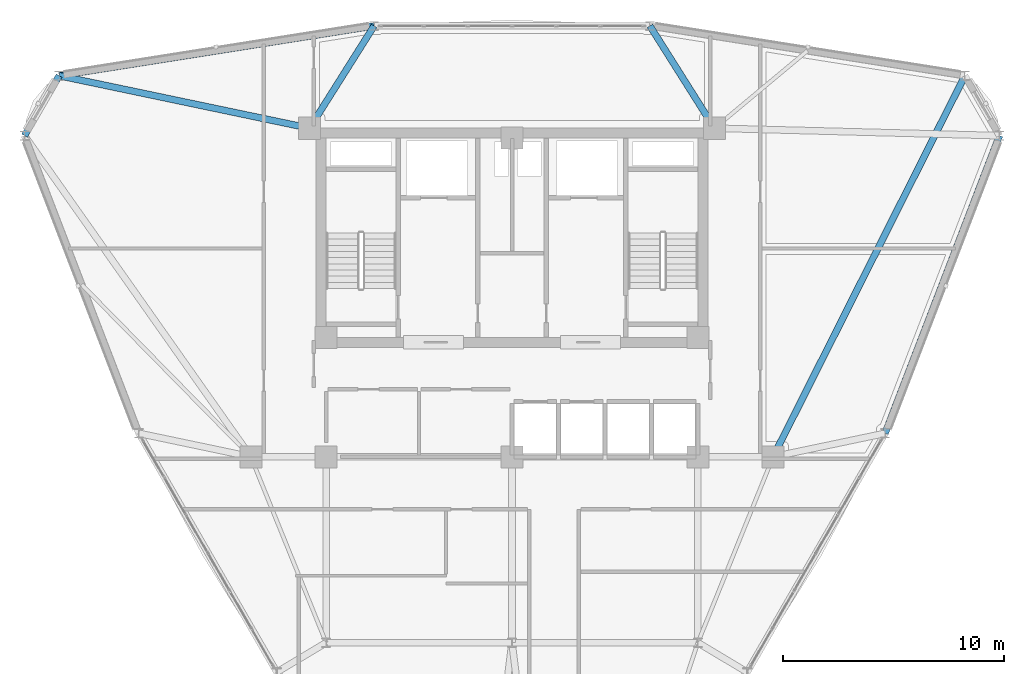
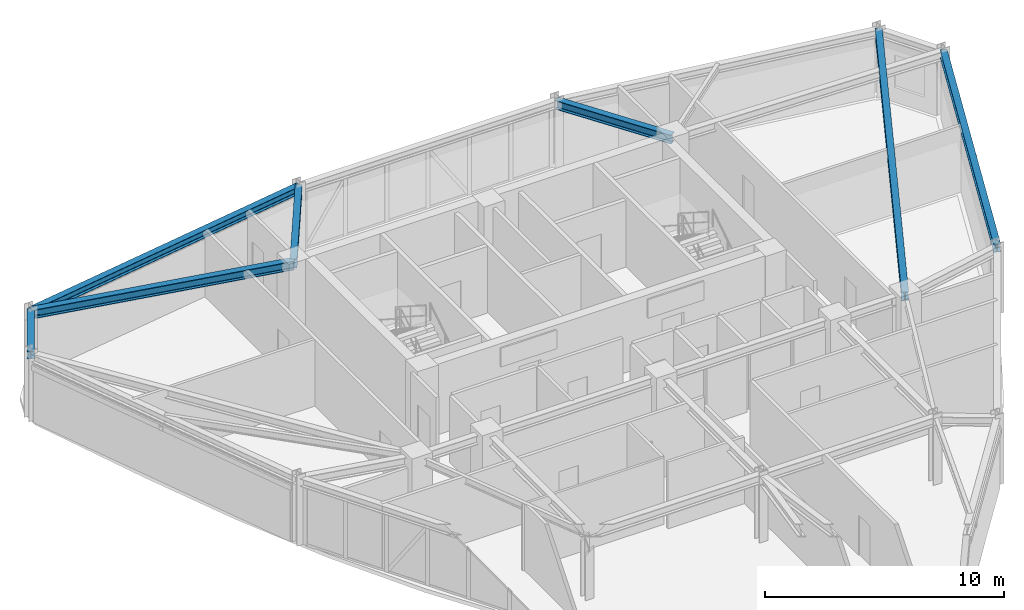
# One storey, part 7 of 14: 7 beams.
"""IFC4 building model written with IfcOpenShell, lengths in metres."""

from ifc_helpers import new_model, si_unit, derived_unit, direction, frame, origin, origin_2d, place, context, subcontext, project, spatial, i_section, extrude, source, transform, mapped, material, material_profile, profile_set, type_object, element, save


model = new_model("IFC4")

# Units and contexts
model_context = context("Model", 3, precision=1e-05, world=origin(), true_north=direction((0.0, 1.0)))
body_context = subcontext(model_context, "Body", "Model", "MODEL_VIEW")
ifc_project = project(units=[si_unit("LENGTHUNIT", "METRE"), si_unit("AREAUNIT", "SQUARE_METRE"), si_unit("VOLUMEUNIT", "CUBIC_METRE"), si_unit("PLANEANGLEUNIT", "RADIAN"), si_unit("MASSUNIT", "GRAM", prefix="KILO"), derived_unit("THERMALTRANSMITTANCEUNIT", [(si_unit("POWERUNIT", "WATT"), 1), (si_unit("LENGTHUNIT", "METRE"), -2), (si_unit("THERMODYNAMICTEMPERATUREUNIT", "KELVIN"), -1)])], contexts=[model_context])

# Site, building, storey
site_placement = place(None, origin())
site = spatial("IfcSite", under=ifc_project, at=site_placement, CompositionType="ELEMENT")
building_placement = place(site_placement, origin())
building = spatial("IfcBuilding", under=site, at=building_placement, Name="Korsvarv Bourse and Concert Hall", CompositionType="ELEMENT")
storey_placement = place(building_placement, frame((0.0, 0.0, 193.800048828125)))
storey = spatial("IfcBuildingStorey", under=building, at=storey_placement, Name="L50", CompositionType="ELEMENT", Elevation=193.800048828125)

# Beams
ifc_material = material(Name="Steel S355", Category="steel")
ifc_material_profile_1 = material_profile(ifc_material, i_section(OverallWidth=0.300048828125, OverallDepth=0.389892578125, WebThickness=0.010986328125, FlangeThickness=0.01904296875, FilletRadius=0.02099609375, at=origin_2d()), Name="HEA 400")
ifc_profile_set_1 = profile_set([ifc_material_profile_1], Name="Steel S355")
beam_type_1 = type_object("IfcBeamType", Name="BM-HEA400", PredefinedType="BEAM", material=ifc_profile_set_1)
shared_shape_1 = source(origin(), body_context, "Body", "SweptSolid", [
    extrude(i_section(OverallWidth=0.300048828125, OverallDepth=0.389892578125, WebThickness=0.010986328125, FlangeThickness=0.01904296875, FilletRadius=0.02099609375, at=origin_2d()), origin(), (0.0, 0.0, 1.0), 3.12939453125),
])
beam_1_placement = place(storey_placement, frame((15.534423828125, 49.62255859375, 3.204833984375), z_axis=(-0.499990325971, -0.866030989016, 0.0), x_axis=(0.866030989016, -0.499990325971, 0.0)))
element("IfcBeam", 1, at=beam_1_placement, inside=storey, type_object=beam_type_1, Name="L50 beam B-11", PredefinedType="BEAM", context=body_context, shape_type="MappedRepresentation", body=[
    mapped(shared_shape_1, transform((0.0, 0.0, 0.0), scale=1.0)),
])
shared_shape_2 = source(origin(), body_context, "Body", "SweptSolid", [
    extrude(i_section(OverallWidth=0.300048828125, OverallDepth=0.389892578125, WebThickness=0.010986328125, FlangeThickness=0.01904296875, FilletRadius=0.02099609375, at=origin_2d()), origin(), (0.0, 0.0, 1.0), 14.4091796875),
])
beam_2_placement = place(storey_placement, frame((29.766845703125, 51.871826171875, 3.204833984375), z_axis=(-0.987741112202, -0.156100913728, 0.0), x_axis=(0.156100913728, -0.987741112202, 0.0)))
element("IfcBeam", 2, at=beam_2_placement, inside=storey, type_object=beam_type_1, Name="L50 beam B-11", PredefinedType="BEAM", context=body_context, shape_type="MappedRepresentation", body=[
    mapped(shared_shape_2, transform((0.0, 0.0, 0.0), scale=1.0)),
])
shared_shape_3 = source(origin(), body_context, "Body", "SweptSolid", [
    extrude(i_section(OverallWidth=0.300048828125, OverallDepth=0.389892578125, WebThickness=0.010986328125, FlangeThickness=0.01904296875, FilletRadius=0.02099609375, at=origin_2d()), origin(), (0.0, 0.0, 1.0), 14.408935546875),
])
beam_3_placement = place(storey_placement, frame((52.86181640625, 33.462158203125, 3.204833984375), z_axis=(0.35869521437, 0.933454735479, 0.0), x_axis=(-0.933454735479, 0.35869521437, 0.0)))
element("IfcBeam", 3, at=beam_3_placement, inside=storey, type_object=beam_type_1, Name="L50 beam B-11", PredefinedType="BEAM", context=body_context, shape_type="MappedRepresentation", body=[
    mapped(shared_shape_3, transform((0.0, 0.0, 0.0), scale=1.0)),
])
ifc_material_profile_2 = material_profile(ifc_material, i_section(OverallWidth=0.300048828125, OverallDepth=0.449951171875, WebThickness=0.013916015625, FlangeThickness=0.02587890625, FilletRadius=0.02099609375, at=origin_2d()), Name="HEB 450")
ifc_profile_set_2 = profile_set([ifc_material_profile_2], Name="Steel S355")
beam_type_2 = type_object("IfcBeamType", Name="BM-HEB450", PredefinedType="SPANDREL", material=ifc_profile_set_2)
shared_shape_4 = source(origin(), body_context, "Body", "SweptSolid", [
    extrude(i_section(OverallWidth=0.300048828125, OverallDepth=0.449951171875, WebThickness=0.013916015625, FlangeThickness=0.02587890625, FilletRadius=0.02099609375, at=origin_2d()), origin(), (0.0, 0.0, 1.0), 19.27978515625),
])
beam_4_placement = place(storey_placement, frame((56.465576171875, 49.62255859375, 3.175048828125), z_axis=(-0.449461133665, -0.893299887678, 0.0), x_axis=(0.893299887678, -0.449461133665, 0.0)))
element("IfcBeam", 4, at=beam_4_placement, inside=storey, type_object=beam_type_2, Name="L50 beam B-08", PredefinedType="SPANDREL", context=body_context, shape_type="MappedRepresentation", body=[
    mapped(shared_shape_4, transform((0.0, 0.0, 0.0), scale=1.0)),
])
shared_shape_5 = source(origin(), body_context, "Body", "SweptSolid", [
    extrude(i_section(OverallWidth=0.300048828125, OverallDepth=0.449951171875, WebThickness=0.013916015625, FlangeThickness=0.02587890625, FilletRadius=0.02099609375, at=origin_2d()), origin(), (0.0, 0.0, 1.0), 5.46533203125),
])
for number, where, z_axis, x_axis, name in (
    (5, (42.233154296875, 51.871826171875, 3.175048828125), (0.533692109553, -0.845678858788, 0.0), (0.845678858788, 0.533692109553, 0.0), "L50 beam B-08"),
    (6, (29.766845703125, 51.871826171875, 3.175048828125), (-0.533692109553, -0.845678858788, 0.0), (0.845678858788, -0.533692109553, 0.0), "L50 beam B-08"),
):
    element("IfcBeam", number, at=place(storey_placement, frame(where, z_axis=z_axis, x_axis=x_axis)), inside=storey, type_object=beam_type_2, Name=name, PredefinedType="SPANDREL", context=body_context, shape_type="MappedRepresentation", body=[
        mapped(shared_shape_5, transform((0.0, 0.0, 0.0), scale=1.0)),
    ])
shared_shape_6 = source(origin(), body_context, "Body", "SweptSolid", [
    extrude(i_section(OverallWidth=0.300048828125, OverallDepth=0.449951171875, WebThickness=0.013916015625, FlangeThickness=0.02587890625, FilletRadius=0.02099609375, at=origin_2d()), origin(), (0.0, 0.0, 1.0), 11.561767578125),
])
beam_5_placement = place(storey_placement, frame((15.534423828125, 49.62255859375, 3.175048828125), z_axis=(0.978718386219, -0.20520799321, 0.0), x_axis=(0.20520799321, 0.978718386219, 0.0)))
element("IfcBeam", 7, at=beam_5_placement, inside=storey, type_object=beam_type_2, Name="L50 beam B-08", PredefinedType="SPANDREL", context=body_context, shape_type="MappedRepresentation", body=[
    mapped(shared_shape_6, transform((0.0, 0.0, 0.0), scale=1.0)),
])

save(model, "model.ifc")
